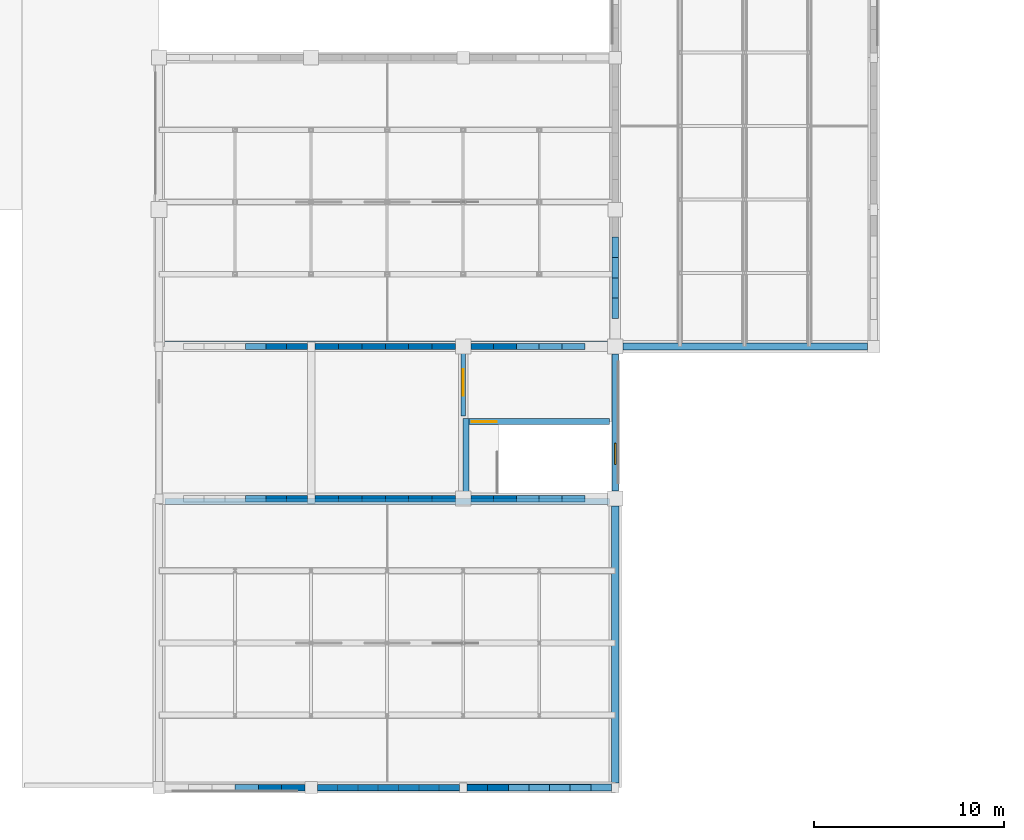
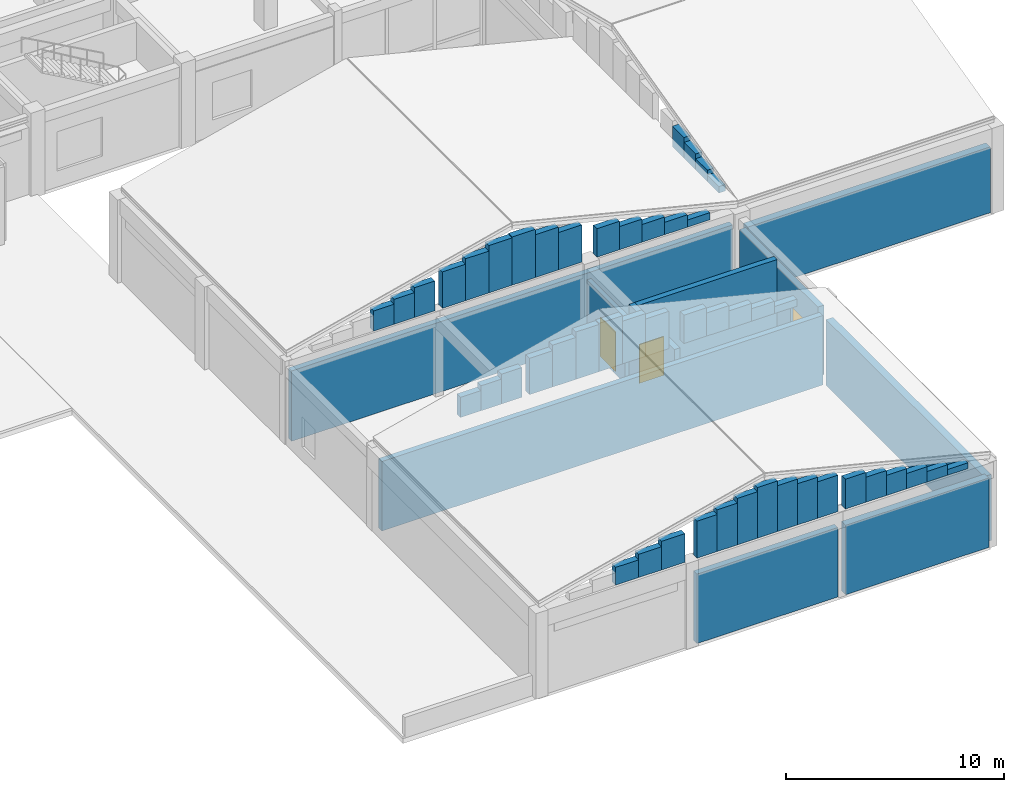
# One storey, part 52 of 61: 58 walls, 2 doors, 1 window, 3 openings.
"""IFC4 building model written with IfcOpenShell, lengths in metres."""

from ifc_helpers import new_model, si_unit, direction, frame, frame_2d, origin, place, context, subcontext, project, spatial, rectangle, extrude, material, layer, layer_set, type_object, element, fill, save


model = new_model("IFC4")

# Units and contexts
model_context = context("Model", 3, precision=1e-05, world=origin(), true_north=direction((0.0, 1.0)))
body_context = subcontext(model_context, "Body", "Model", "MODEL_VIEW")
ifc_project = project(units=[si_unit("LENGTHUNIT", "METRE"), si_unit("AREAUNIT", "SQUARE_METRE"), si_unit("VOLUMEUNIT", "CUBIC_METRE"), si_unit("PLANEANGLEUNIT", "RADIAN"), si_unit("MASSUNIT", "GRAM", prefix="KILO")], contexts=[model_context])

# Site, building, storey
site_placement = place(None, origin())
site = spatial("IfcSite", under=ifc_project, at=site_placement, CompositionType="ELEMENT")
building_placement = place(site_placement, origin())
building = spatial("IfcBuilding", under=site, at=building_placement, Name="Vellmiral Cinema and Media Centre", CompositionType="ELEMENT")
storey_placement = place(building_placement, frame((0.0, 0.0, 10.800048828125)))
storey = spatial("IfcBuildingStorey", under=building, at=storey_placement, Name="L02", CompositionType="ELEMENT", Elevation=10.800048828125)

# Walls
ifc_material_1 = material(Name="Concrete C40/50", Category="concrete")
ifc_layer_1 = layer(ifc_material_1, 0.300048828125, Name="Concrete C40/50")
ifc_layer_set_1 = layer_set([ifc_layer_1], Name="Concrete C40/50")
wall_type_1 = type_object("IfcWallType", Name="WL-CORE-300", PredefinedType="SHEAR", material=ifc_layer_set_1)
wall_1_placement = place(storey_placement, frame((124.300048828125, 27.85009765625, 0.0), z_axis=(0.0, 0.0, 1.0), x_axis=(1.0, 0.0, 0.0)))
element("IfcWall", 1, at=wall_1_placement, inside=storey, type_object=wall_type_1, Name="Cinema Screen 5 Acoustic Enclosure Wall L02-N1", PredefinedType="SHEAR", context=body_context, shape_type="SweptSolid", body=[
    extrude(rectangle(XDim=23.39990234375, YDim=0.300048828125, at=frame_2d((11.699951171875, 0.0))), origin(), (0.0, 0.0, 1.0), 3.89990234375),
])
wall_2_placement = place(storey_placement, frame((124.300048828125, 36.14990234375, 0.0), z_axis=(0.0, 0.0, 1.0), x_axis=(1.0, 0.0, 0.0)))
element("IfcWall", 2, at=wall_2_placement, inside=storey, type_object=wall_type_1, Name="Cinema Screen 6 Acoustic Enclosure Wall L02-S1", PredefinedType="SHEAR", context=body_context, shape_type="SweptSolid", body=[
    extrude(rectangle(XDim=23.39990234375, YDim=0.300048828125, at=frame_2d((11.699951171875, 0.0))), origin(), (0.0, 0.0, 1.0), 3.949951171875),
])
wall_3_placement = place(storey_placement, frame((140.14990234375, 28.0, 0.0), z_axis=(0.0, 0.0, 1.0), x_axis=(0.0, 1.0, 0.0)))
element("IfcWall", 3, at=wall_3_placement, inside=storey, type_object=wall_type_1, Name="Stair Core Wall ST-P8 L02-W", PredefinedType="SHEAR", context=body_context, shape_type="SweptSolid", body=[
    extrude(rectangle(XDim=4.199951171875, YDim=0.300048828125, at=frame_2d((2.10009765625, 0.0))), origin(), (0.0, 0.0, 1.0), 4.5),
])

# Wall, opening, door
wall_4_placement = place(storey_placement, frame((140.300048828125, 32.050048828125, 0.0), z_axis=(0.0, 0.0, 1.0), x_axis=(1.0, 0.0, 0.0)))
wall_4 = element("IfcWall", 4, at=wall_4_placement, inside=storey, type_object=wall_type_1, Name="Stair Core Wall ST-P8 L02-N", PredefinedType="SHEAR", context=body_context, shape_type="SweptSolid", body=[
    extrude(rectangle(XDim=7.39990234375, YDim=0.300048828125, at=frame_2d((3.699951171875, 0.0))), origin(), (0.0, 0.0, 1.0), 4.5),
])
opening_1_placement = place(wall_4_placement, frame((0.159912109375, 0.0, 0.0)))
opening_1 = element("IfcOpeningElement", 5, at=opening_1_placement, cuts=wall_4, Name="Opening D-FD30A", PredefinedType="OPENING", context=body_context, shape_type="SweptSolid", body=[
    extrude(rectangle(XDim=1.300048828125, YDim=2.179931640625, at=frame_2d((0.64990234375, 1.08984375))), frame((0.0, 0.162109375, 0.0), z_axis=(0.0, -1.0, 0.0), x_axis=(1.0, 0.0, 0.0)), (0.0, 0.0, 1.0), 0.323974609375),
])
ifc_material_2 = material(Name="Steel Stair Fire Door", Category="steel")
door_type_1 = type_object("IfcDoorType", Name="DR-FD30-1300x2180", OperationType="NOTDEFINED", PredefinedType="DOOR", material=ifc_material_2)
door_1_placement = place(opening_1_placement, frame((1.300048828125, 0.0, 0.0), z_axis=(0.0, 0.0, 1.0), x_axis=(-1.0, 0.0, 0.0)))
door_1 = element("IfcDoor", 6, at=door_1_placement, inside=storey, type_object=door_type_1, Name="Protected Stair Door ST-P8 L02", OperationType="SINGLE_SWING_RIGHT", OverallHeight=2.179931640625, OverallWidth=1.300048828125, PredefinedType="DOOR", context=body_context, shape_type="SweptSolid", body=[
    extrude(rectangle(XDim=1.300048828125, YDim=2.179931640625, at=frame_2d((0.64990234375, 1.08984375))), frame((0.0, 0.02490234375, 0.0), z_axis=(0.0, -1.0, 0.0), x_axis=(1.0, 0.0, 0.0)), (0.0, 0.0, 1.0), 0.050048828125),
])
fill(opening_1, door_1)

# Wall
ifc_material_3 = material(Name="Polychrome Glazed Ceramic Cladding", Category="masonry")
ifc_layer_2 = layer(ifc_material_3, 0.320068359375, Name="Polychrome Glazed Ceramic Cladding")
ifc_layer_set_2 = layer_set([ifc_layer_2], Name="Polychrome Glazed Ceramic Cladding")
wall_type_2 = type_object("IfcWallType", Name="WL-EXT-BRICK-320", PredefinedType="SOLIDWALL", material=ifc_layer_set_2)
wall_5_placement = place(storey_placement, frame((132.324951171875, 12.800048828125, 0.0), z_axis=(0.0, 0.0, 1.0), x_axis=(1.0, 0.0, 0.0)))
element("IfcWall", 7, at=wall_5_placement, inside=storey, type_object=wall_type_2, Name="Exterior Facade Wall L02-033", PredefinedType="SOLIDWALL", context=body_context, shape_type="SweptSolid", body=[
    extrude(rectangle(XDim=7.47509765625, YDim=0.320068359375, at=frame_2d((3.737548828125, 0.0))), origin(), (0.0, 0.0, 1.0), 3.89990234375),
])

# Wall, opening, window
wall_6_placement = place(storey_placement, frame((148.0, 28.39990234375, 0.0), z_axis=(0.0, 0.0, 1.0), x_axis=(0.0, 1.0, 0.0)))
wall_6 = element("IfcWall", 8, at=wall_6_placement, inside=storey, type_object=wall_type_2, Name="Exterior Facade Wall L02-036", PredefinedType="SOLIDWALL", context=body_context, shape_type="SweptSolid", body=[
    extrude(rectangle(XDim=7.2001953125, YDim=0.320068359375, at=frame_2d((3.60009765625, 0.0))), origin(), (0.0, 0.0, 1.0), 3.89501953125),
])
opening_2_placement = place(wall_6_placement, frame((1.39990234375, 0.0, 0.89990234375)))
opening_2 = element("IfcOpeningElement", 9, at=opening_2_placement, cuts=wall_6, Name="Opening WN-11", PredefinedType="OPENING", context=body_context, shape_type="SweptSolid", body=[
    extrude(rectangle(XDim=1.10009765625, YDim=1.550048828125, at=frame_2d((0.550048828125, 0.77490234375))), frame((0.0, 0.171875, 0.0), z_axis=(0.0, -1.0, 0.0), x_axis=(1.0, 0.0, 0.0)), (0.0, 0.0, 1.0), 0.343994140625),
])
ifc_material_4 = material(Name="Thermally Broken Aluminium Triple Glazing", Category="aluminium")
window_type = type_object("IfcWindowType", Name="WN-1100x1550", PartitioningType="SINGLE_PANEL", PredefinedType="WINDOW", material=ifc_material_4)
window_placement = place(opening_2_placement, origin())
window = element("IfcWindow", 10, at=window_placement, inside=storey, type_object=window_type, Name="Window L02-036", OverallHeight=1.550048828125, OverallWidth=1.10009765625, PartitioningType="SINGLE_PANEL", PredefinedType="WINDOW", context=body_context, shape_type="SweptSolid", body=[
    extrude(rectangle(XDim=1.10009765625, YDim=1.550048828125, at=frame_2d((0.550048828125, 0.77490234375))), frame((0.0, 0.030029296875, 0.0), z_axis=(0.0, -1.0, 0.0), x_axis=(1.0, 0.0, 0.0)), (0.0, 0.0, 1.0), 0.06005859375),
])
fill(opening_2, window)

# Walls
ifc_material_5 = material(Name="Vosges Red Sandstone Masonry", Category="masonry")
ifc_layer_3 = layer(ifc_material_5, 0.340087890625, Name="Vosges Red Sandstone Masonry")
ifc_layer_set_3 = layer_set([ifc_layer_3], Name="Vosges Red Sandstone Masonry")
wall_type_3 = type_object("IfcWallType", Name="WL-EXT-SAND-340", PredefinedType="SOLIDWALL", material=ifc_layer_set_3)
wall_7_placement = place(storey_placement, frame((128.0, 12.800048828125, 4.800048828125), z_axis=(0.0, 0.0, 1.0), x_axis=(1.0, 0.0, 0.0)))
element("IfcWall", 11, at=wall_7_placement, inside=storey, type_object=wall_type_3, Name="Cinema Screen 5 Gable End Wall S-3", PredefinedType="SOLIDWALL", context=body_context, shape_type="SweptSolid", body=[
    extrude(rectangle(XDim=1.22509765625, YDim=0.340087890625, at=frame_2d((0.612548828125, 0.0))), origin(), (0.0, 0.0, 1.0), 0.997314453125),
])
wall_8_placement = place(storey_placement, frame((129.22509765625, 12.800048828125, 4.800048828125), z_axis=(0.0, 0.0, 1.0), x_axis=(1.0, 0.0, 0.0)))
element("IfcWall", 12, at=wall_8_placement, inside=storey, type_object=wall_type_3, Name="Cinema Screen 5 Gable End Wall S-4", PredefinedType="SOLIDWALL", context=body_context, shape_type="SweptSolid", body=[
    extrude(rectangle(XDim=1.224853515625, YDim=0.340087890625, at=frame_2d((0.6123046875, 0.0))), origin(), (0.0, 0.0, 1.0), 1.302490234375),
])
wall_9_placement = place(storey_placement, frame((130.449951171875, 12.800048828125, 4.800048828125), z_axis=(0.0, 0.0, 1.0), x_axis=(1.0, 0.0, 0.0)))
element("IfcWall", 13, at=wall_9_placement, inside=storey, type_object=wall_type_3, Name="Cinema Screen 5 Gable End Wall S-5", PredefinedType="SOLIDWALL", context=body_context, shape_type="SweptSolid", body=[
    extrude(rectangle(XDim=1.22509765625, YDim=0.340087890625, at=frame_2d((0.612548828125, 0.0))), origin(), (0.0, 0.0, 1.0), 1.608154296875),
])
wall_10_placement = place(storey_placement, frame((132.324951171875, 12.800048828125, 4.800048828125), z_axis=(0.0, 0.0, 1.0), x_axis=(1.0, 0.0, 0.0)))
element("IfcWall", 14, at=wall_10_placement, inside=storey, type_object=wall_type_3, Name="Cinema Screen 5 Gable End Wall S-6", PredefinedType="SOLIDWALL", context=body_context, shape_type="SweptSolid", body=[
    extrude(rectangle(XDim=1.06787109375, YDim=0.340087890625, at=frame_2d((0.533935546875, 0.0))), origin(), (0.0, 0.0, 1.0), 2.07568359375),
])
wall_11_placement = place(storey_placement, frame((133.392822265625, 12.800048828125, 4.800048828125), z_axis=(0.0, 0.0, 1.0), x_axis=(1.0, 0.0, 0.0)))
element("IfcWall", 15, at=wall_11_placement, inside=storey, type_object=wall_type_3, Name="Cinema Screen 5 Gable End Wall S-7", PredefinedType="SOLIDWALL", context=body_context, shape_type="SweptSolid", body=[
    extrude(rectangle(XDim=1.06787109375, YDim=0.340087890625, at=frame_2d((0.533935546875, 0.0))), origin(), (0.0, 0.0, 1.0), 2.341796875),
])
wall_12_placement = place(storey_placement, frame((134.460693359375, 12.800048828125, 4.800048828125), z_axis=(0.0, 0.0, 1.0), x_axis=(1.0, 0.0, 0.0)))
element("IfcWall", 16, at=wall_12_placement, inside=storey, type_object=wall_type_3, Name="Cinema Screen 5 Gable End Wall S-8", PredefinedType="SOLIDWALL", context=body_context, shape_type="SweptSolid", body=[
    extrude(rectangle(XDim=1.06787109375, YDim=0.340087890625, at=frame_2d((0.533935546875, 0.0))), origin(), (0.0, 0.0, 1.0), 2.60791015625),
])
wall_13_placement = place(storey_placement, frame((135.528564453125, 12.800048828125, 4.800048828125), z_axis=(0.0, 0.0, 1.0), x_axis=(1.0, 0.0, 0.0)))
element("IfcWall", 17, at=wall_13_placement, inside=storey, type_object=wall_type_3, Name="Cinema Screen 5 Gable End Wall S-9", PredefinedType="SOLIDWALL", context=body_context, shape_type="SweptSolid", body=[
    extrude(rectangle(XDim=1.06787109375, YDim=0.340087890625, at=frame_2d((0.533935546875, 0.0))), origin(), (0.0, 0.0, 1.0), 2.843017578125),
])
wall_14_placement = place(storey_placement, frame((136.596435546875, 12.800048828125, 4.800048828125), z_axis=(0.0, 0.0, 1.0), x_axis=(1.0, 0.0, 0.0)))
element("IfcWall", 18, at=wall_14_placement, inside=storey, type_object=wall_type_3, Name="Cinema Screen 5 Gable End Wall S-10", PredefinedType="SOLIDWALL", context=body_context, shape_type="SweptSolid", body=[
    extrude(rectangle(XDim=1.06787109375, YDim=0.340087890625, at=frame_2d((0.533935546875, 0.0))), origin(), (0.0, 0.0, 1.0), 2.576904296875),
])
wall_15_placement = place(storey_placement, frame((137.664306640625, 12.800048828125, 4.800048828125), z_axis=(0.0, 0.0, 1.0), x_axis=(1.0, 0.0, 0.0)))
element("IfcWall", 19, at=wall_15_placement, inside=storey, type_object=wall_type_3, Name="Cinema Screen 5 Gable End Wall S-11", PredefinedType="SOLIDWALL", context=body_context, shape_type="SweptSolid", body=[
    extrude(rectangle(XDim=1.06787109375, YDim=0.340087890625, at=frame_2d((0.533935546875, 0.0))), origin(), (0.0, 0.0, 1.0), 2.310546875),
])
wall_16_placement = place(storey_placement, frame((138.732177734375, 12.800048828125, 4.800048828125), z_axis=(0.0, 0.0, 1.0), x_axis=(1.0, 0.0, 0.0)))
element("IfcWall", 20, at=wall_16_placement, inside=storey, type_object=wall_type_3, Name="Cinema Screen 5 Gable End Wall S-12", PredefinedType="SOLIDWALL", context=body_context, shape_type="SweptSolid", body=[
    extrude(rectangle(XDim=1.06787109375, YDim=0.340087890625, at=frame_2d((0.533935546875, 0.0))), origin(), (0.0, 0.0, 1.0), 2.04443359375),
])
wall_17_placement = place(storey_placement, frame((140.199951171875, 12.800048828125, 4.800048828125), z_axis=(0.0, 0.0, 1.0), x_axis=(1.0, 0.0, 0.0)))
element("IfcWall", 21, at=wall_17_placement, inside=storey, type_object=wall_type_3, Name="Cinema Screen 5 Gable End Wall S-13", PredefinedType="SOLIDWALL", context=body_context, shape_type="SweptSolid", body=[
    extrude(rectangle(XDim=1.085693359375, YDim=0.340087890625, at=frame_2d((0.54296875, 0.0))), origin(), (0.0, 0.0, 1.0), 1.674072265625),
])
wall_18_placement = place(storey_placement, frame((141.28564453125, 12.800048828125, 4.800048828125), z_axis=(0.0, 0.0, 1.0), x_axis=(1.0, 0.0, 0.0)))
element("IfcWall", 22, at=wall_18_placement, inside=storey, type_object=wall_type_3, Name="Cinema Screen 5 Gable End Wall S-14", PredefinedType="SOLIDWALL", context=body_context, shape_type="SweptSolid", body=[
    extrude(rectangle(XDim=1.085693359375, YDim=0.340087890625, at=frame_2d((0.54296875, 0.0))), origin(), (0.0, 0.0, 1.0), 1.4033203125),
])
wall_19_placement = place(storey_placement, frame((142.371337890625, 12.800048828125, 4.800048828125), z_axis=(0.0, 0.0, 1.0), x_axis=(1.0, 0.0, 0.0)))
element("IfcWall", 23, at=wall_19_placement, inside=storey, type_object=wall_type_3, Name="Cinema Screen 5 Gable End Wall S-15", PredefinedType="SOLIDWALL", context=body_context, shape_type="SweptSolid", body=[
    extrude(rectangle(XDim=1.085693359375, YDim=0.340087890625, at=frame_2d((0.54296875, 0.0))), origin(), (0.0, 0.0, 1.0), 1.132568359375),
])
wall_20_placement = place(storey_placement, frame((143.45703125, 12.800048828125, 4.800048828125), z_axis=(0.0, 0.0, 1.0), x_axis=(1.0, 0.0, 0.0)))
element("IfcWall", 24, at=wall_20_placement, inside=storey, type_object=wall_type_3, Name="Cinema Screen 5 Gable End Wall S-16", PredefinedType="SOLIDWALL", context=body_context, shape_type="SweptSolid", body=[
    extrude(rectangle(XDim=1.0859375, YDim=0.340087890625, at=frame_2d((0.54296875, 0.0))), origin(), (0.0, 0.0, 1.0), 0.86181640625),
])
wall_21_placement = place(storey_placement, frame((144.54296875, 12.800048828125, 4.800048828125), z_axis=(0.0, 0.0, 1.0), x_axis=(1.0, 0.0, 0.0)))
element("IfcWall", 25, at=wall_21_placement, inside=storey, type_object=wall_type_3, Name="Cinema Screen 5 Gable End Wall S-17", PredefinedType="SOLIDWALL", context=body_context, shape_type="SweptSolid", body=[
    extrude(rectangle(XDim=1.085693359375, YDim=0.340087890625, at=frame_2d((0.54296875, 0.0))), origin(), (0.0, 0.0, 1.0), 0.59130859375),
])
wall_22_placement = place(storey_placement, frame((145.628662109375, 12.800048828125, 4.800048828125), z_axis=(0.0, 0.0, 1.0), x_axis=(1.0, 0.0, 0.0)))
element("IfcWall", 26, at=wall_22_placement, inside=storey, type_object=wall_type_3, Name="Cinema Screen 5 Gable End Wall S-18", PredefinedType="SOLIDWALL", context=body_context, shape_type="SweptSolid", body=[
    extrude(rectangle(XDim=1.085693359375, YDim=0.340087890625, at=frame_2d((0.54296875, 0.0))), origin(), (0.0, 0.0, 1.0), 0.320556640625),
])
wall_23_placement = place(storey_placement, frame((128.54296875, 28.0, 4.800048828125), z_axis=(0.0, 0.0, 1.0), x_axis=(1.0, 0.0, 0.0)))
element("IfcWall", 27, at=wall_23_placement, inside=storey, type_object=wall_type_3, Name="Cinema Screen 5 Gable End Wall N-4", PredefinedType="SOLIDWALL", context=body_context, shape_type="SweptSolid", body=[
    extrude(rectangle(XDim=1.085693359375, YDim=0.340087890625, at=frame_2d((0.54296875, 0.0))), origin(), (0.0, 0.0, 1.0), 1.132568359375),
])
wall_24_placement = place(storey_placement, frame((129.628662109375, 28.0, 4.800048828125), z_axis=(0.0, 0.0, 1.0), x_axis=(1.0, 0.0, 0.0)))
element("IfcWall", 28, at=wall_24_placement, inside=storey, type_object=wall_type_3, Name="Cinema Screen 5 Gable End Wall N-5", PredefinedType="SOLIDWALL", context=body_context, shape_type="SweptSolid", body=[
    extrude(rectangle(XDim=1.085693359375, YDim=0.340087890625, at=frame_2d((0.54296875, 0.0))), origin(), (0.0, 0.0, 1.0), 1.4033203125),
])
wall_25_placement = place(storey_placement, frame((130.71435546875, 28.0, 4.800048828125), z_axis=(0.0, 0.0, 1.0), x_axis=(1.0, 0.0, 0.0)))
element("IfcWall", 29, at=wall_25_placement, inside=storey, type_object=wall_type_3, Name="Cinema Screen 5 Gable End Wall N-6", PredefinedType="SOLIDWALL", context=body_context, shape_type="SweptSolid", body=[
    extrude(rectangle(XDim=1.085693359375, YDim=0.340087890625, at=frame_2d((0.54296875, 0.0))), origin(), (0.0, 0.0, 1.0), 1.674072265625),
])
wall_26_placement = place(storey_placement, frame((132.199951171875, 28.0, 4.800048828125), z_axis=(0.0, 0.0, 1.0), x_axis=(1.0, 0.0, 0.0)))
element("IfcWall", 30, at=wall_26_placement, inside=storey, type_object=wall_type_3, Name="Cinema Screen 5 Gable End Wall N-7", PredefinedType="SOLIDWALL", context=body_context, shape_type="SweptSolid", body=[
    extrude(rectangle(XDim=1.2333984375, YDim=0.340087890625, at=frame_2d((0.61669921875, 0.0))), origin(), (0.0, 0.0, 1.0), 2.04443359375),
])
wall_27_placement = place(storey_placement, frame((133.433349609375, 28.0, 4.800048828125), z_axis=(0.0, 0.0, 1.0), x_axis=(1.0, 0.0, 0.0)))
element("IfcWall", 31, at=wall_27_placement, inside=storey, type_object=wall_type_3, Name="Cinema Screen 5 Gable End Wall N-8", PredefinedType="SOLIDWALL", context=body_context, shape_type="SweptSolid", body=[
    extrude(rectangle(XDim=1.2333984375, YDim=0.340087890625, at=frame_2d((0.61669921875, 0.0))), origin(), (0.0, 0.0, 1.0), 2.351806640625),
])
wall_28_placement = place(storey_placement, frame((134.666748046875, 28.0, 4.800048828125), z_axis=(0.0, 0.0, 1.0), x_axis=(1.0, 0.0, 0.0)))
element("IfcWall", 32, at=wall_28_placement, inside=storey, type_object=wall_type_3, Name="Cinema Screen 5 Gable End Wall N-9", PredefinedType="SOLIDWALL", context=body_context, shape_type="SweptSolid", body=[
    extrude(rectangle(XDim=1.233154296875, YDim=0.340087890625, at=frame_2d((0.61669921875, 0.0))), origin(), (0.0, 0.0, 1.0), 2.659423828125),
])
wall_29_placement = place(storey_placement, frame((135.89990234375, 28.0, 4.800048828125), z_axis=(0.0, 0.0, 1.0), x_axis=(1.0, 0.0, 0.0)))
element("IfcWall", 33, at=wall_29_placement, inside=storey, type_object=wall_type_3, Name="Cinema Screen 5 Gable End Wall N-10", PredefinedType="SOLIDWALL", context=body_context, shape_type="SweptSolid", body=[
    extrude(rectangle(XDim=1.2333984375, YDim=0.340087890625, at=frame_2d((0.61669921875, 0.0))), origin(), (0.0, 0.0, 1.0), 2.709228515625),
])
wall_30_placement = place(storey_placement, frame((137.13330078125, 28.0, 4.800048828125), z_axis=(0.0, 0.0, 1.0), x_axis=(1.0, 0.0, 0.0)))
element("IfcWall", 34, at=wall_30_placement, inside=storey, type_object=wall_type_3, Name="Cinema Screen 5 Gable End Wall N-11", PredefinedType="SOLIDWALL", context=body_context, shape_type="SweptSolid", body=[
    extrude(rectangle(XDim=1.2333984375, YDim=0.340087890625, at=frame_2d((0.61669921875, 0.0))), origin(), (0.0, 0.0, 1.0), 2.40185546875),
])
wall_31_placement = place(storey_placement, frame((138.36669921875, 28.0, 4.800048828125), z_axis=(0.0, 0.0, 1.0), x_axis=(1.0, 0.0, 0.0)))
element("IfcWall", 35, at=wall_31_placement, inside=storey, type_object=wall_type_3, Name="Cinema Screen 5 Gable End Wall N-12", PredefinedType="SOLIDWALL", context=body_context, shape_type="SweptSolid", body=[
    extrude(rectangle(XDim=1.2333984375, YDim=0.340087890625, at=frame_2d((0.61669921875, 0.0))), origin(), (0.0, 0.0, 1.0), 2.09423828125),
])
wall_32_placement = place(storey_placement, frame((140.39990234375, 28.0, 4.800048828125), z_axis=(0.0, 0.0, 1.0), x_axis=(1.0, 0.0, 0.0)))
element("IfcWall", 36, at=wall_32_placement, inside=storey, type_object=wall_type_3, Name="Cinema Screen 5 Gable End Wall N-13", PredefinedType="SOLIDWALL", context=body_context, shape_type="SweptSolid", body=[
    extrude(rectangle(XDim=1.2001953125, YDim=0.340087890625, at=frame_2d((0.60009765625, 0.0))), origin(), (0.0, 0.0, 1.0), 1.595703125),
])
wall_33_placement = place(storey_placement, frame((141.60009765625, 28.0, 4.800048828125), z_axis=(0.0, 0.0, 1.0), x_axis=(1.0, 0.0, 0.0)))
element("IfcWall", 37, at=wall_33_placement, inside=storey, type_object=wall_type_3, Name="Cinema Screen 5 Gable End Wall N-14", PredefinedType="SOLIDWALL", context=body_context, shape_type="SweptSolid", body=[
    extrude(rectangle(XDim=1.199951171875, YDim=0.340087890625, at=frame_2d((0.60009765625, 0.0))), origin(), (0.0, 0.0, 1.0), 1.29638671875),
])
wall_34_placement = place(storey_placement, frame((142.800048828125, 28.0, 4.800048828125), z_axis=(0.0, 0.0, 1.0), x_axis=(1.0, 0.0, 0.0)))
element("IfcWall", 38, at=wall_34_placement, inside=storey, type_object=wall_type_3, Name="Cinema Screen 5 Gable End Wall N-15", PredefinedType="SOLIDWALL", context=body_context, shape_type="SweptSolid", body=[
    extrude(rectangle(XDim=1.199951171875, YDim=0.340087890625, at=frame_2d((0.60009765625, 0.0))), origin(), (0.0, 0.0, 1.0), 0.997314453125),
])
wall_35_placement = place(storey_placement, frame((144.0, 28.0, 4.800048828125), z_axis=(0.0, 0.0, 1.0), x_axis=(1.0, 0.0, 0.0)))
element("IfcWall", 39, at=wall_35_placement, inside=storey, type_object=wall_type_3, Name="Cinema Screen 5 Gable End Wall N-16", PredefinedType="SOLIDWALL", context=body_context, shape_type="SweptSolid", body=[
    extrude(rectangle(XDim=1.199951171875, YDim=0.340087890625, at=frame_2d((0.60009765625, 0.0))), origin(), (0.0, 0.0, 1.0), 0.697998046875),
])
wall_36_placement = place(storey_placement, frame((145.199951171875, 28.0, 4.800048828125), z_axis=(0.0, 0.0, 1.0), x_axis=(1.0, 0.0, 0.0)))
element("IfcWall", 40, at=wall_36_placement, inside=storey, type_object=wall_type_3, Name="Cinema Screen 5 Gable End Wall N-17", PredefinedType="SOLIDWALL", context=body_context, shape_type="SweptSolid", body=[
    extrude(rectangle(XDim=1.199951171875, YDim=0.340087890625, at=frame_2d((0.60009765625, 0.0))), origin(), (0.0, 0.0, 1.0), 0.398681640625),
])
wall_37_placement = place(storey_placement, frame((128.54296875, 36.0, 4.800048828125), z_axis=(0.0, 0.0, 1.0), x_axis=(1.0, 0.0, 0.0)))
element("IfcWall", 41, at=wall_37_placement, inside=storey, type_object=wall_type_3, Name="Cinema Screen 6 Gable End Wall S-4", PredefinedType="SOLIDWALL", context=body_context, shape_type="SweptSolid", body=[
    extrude(rectangle(XDim=1.085693359375, YDim=0.340087890625, at=frame_2d((0.54296875, 0.0))), origin(), (0.0, 0.0, 1.0), 1.132568359375),
])
wall_38_placement = place(storey_placement, frame((129.628662109375, 36.0, 4.800048828125), z_axis=(0.0, 0.0, 1.0), x_axis=(1.0, 0.0, 0.0)))
element("IfcWall", 42, at=wall_38_placement, inside=storey, type_object=wall_type_3, Name="Cinema Screen 6 Gable End Wall S-5", PredefinedType="SOLIDWALL", context=body_context, shape_type="SweptSolid", body=[
    extrude(rectangle(XDim=1.085693359375, YDim=0.340087890625, at=frame_2d((0.54296875, 0.0))), origin(), (0.0, 0.0, 1.0), 1.4033203125),
])
wall_39_placement = place(storey_placement, frame((130.71435546875, 36.0, 4.800048828125), z_axis=(0.0, 0.0, 1.0), x_axis=(1.0, 0.0, 0.0)))
element("IfcWall", 43, at=wall_39_placement, inside=storey, type_object=wall_type_3, Name="Cinema Screen 6 Gable End Wall S-6", PredefinedType="SOLIDWALL", context=body_context, shape_type="SweptSolid", body=[
    extrude(rectangle(XDim=1.085693359375, YDim=0.340087890625, at=frame_2d((0.54296875, 0.0))), origin(), (0.0, 0.0, 1.0), 1.674072265625),
])
wall_40_placement = place(storey_placement, frame((132.199951171875, 36.0, 4.800048828125), z_axis=(0.0, 0.0, 1.0), x_axis=(1.0, 0.0, 0.0)))
element("IfcWall", 44, at=wall_40_placement, inside=storey, type_object=wall_type_3, Name="Cinema Screen 6 Gable End Wall S-7", PredefinedType="SOLIDWALL", context=body_context, shape_type="SweptSolid", body=[
    extrude(rectangle(XDim=1.2333984375, YDim=0.340087890625, at=frame_2d((0.61669921875, 0.0))), origin(), (0.0, 0.0, 1.0), 2.04443359375),
])
wall_41_placement = place(storey_placement, frame((133.433349609375, 36.0, 4.800048828125), z_axis=(0.0, 0.0, 1.0), x_axis=(1.0, 0.0, 0.0)))
element("IfcWall", 45, at=wall_41_placement, inside=storey, type_object=wall_type_3, Name="Cinema Screen 6 Gable End Wall S-8", PredefinedType="SOLIDWALL", context=body_context, shape_type="SweptSolid", body=[
    extrude(rectangle(XDim=1.2333984375, YDim=0.340087890625, at=frame_2d((0.61669921875, 0.0))), origin(), (0.0, 0.0, 1.0), 2.351806640625),
])
wall_42_placement = place(storey_placement, frame((134.666748046875, 36.0, 4.800048828125), z_axis=(0.0, 0.0, 1.0), x_axis=(1.0, 0.0, 0.0)))
element("IfcWall", 46, at=wall_42_placement, inside=storey, type_object=wall_type_3, Name="Cinema Screen 6 Gable End Wall S-9", PredefinedType="SOLIDWALL", context=body_context, shape_type="SweptSolid", body=[
    extrude(rectangle(XDim=1.233154296875, YDim=0.340087890625, at=frame_2d((0.61669921875, 0.0))), origin(), (0.0, 0.0, 1.0), 2.659423828125),
])
wall_43_placement = place(storey_placement, frame((135.89990234375, 36.0, 4.800048828125), z_axis=(0.0, 0.0, 1.0), x_axis=(1.0, 0.0, 0.0)))
element("IfcWall", 47, at=wall_43_placement, inside=storey, type_object=wall_type_3, Name="Cinema Screen 6 Gable End Wall S-10", PredefinedType="SOLIDWALL", context=body_context, shape_type="SweptSolid", body=[
    extrude(rectangle(XDim=1.2333984375, YDim=0.340087890625, at=frame_2d((0.61669921875, 0.0))), origin(), (0.0, 0.0, 1.0), 2.709228515625),
])
wall_44_placement = place(storey_placement, frame((137.13330078125, 36.0, 4.800048828125), z_axis=(0.0, 0.0, 1.0), x_axis=(1.0, 0.0, 0.0)))
element("IfcWall", 48, at=wall_44_placement, inside=storey, type_object=wall_type_3, Name="Cinema Screen 6 Gable End Wall S-11", PredefinedType="SOLIDWALL", context=body_context, shape_type="SweptSolid", body=[
    extrude(rectangle(XDim=1.2333984375, YDim=0.340087890625, at=frame_2d((0.61669921875, 0.0))), origin(), (0.0, 0.0, 1.0), 2.40185546875),
])
wall_45_placement = place(storey_placement, frame((138.36669921875, 36.0, 4.800048828125), z_axis=(0.0, 0.0, 1.0), x_axis=(1.0, 0.0, 0.0)))
element("IfcWall", 49, at=wall_45_placement, inside=storey, type_object=wall_type_3, Name="Cinema Screen 6 Gable End Wall S-12", PredefinedType="SOLIDWALL", context=body_context, shape_type="SweptSolid", body=[
    extrude(rectangle(XDim=1.2333984375, YDim=0.340087890625, at=frame_2d((0.61669921875, 0.0))), origin(), (0.0, 0.0, 1.0), 2.09423828125),
])
wall_46_placement = place(storey_placement, frame((140.39990234375, 36.0, 4.800048828125), z_axis=(0.0, 0.0, 1.0), x_axis=(1.0, 0.0, 0.0)))
element("IfcWall", 50, at=wall_46_placement, inside=storey, type_object=wall_type_3, Name="Cinema Screen 6 Gable End Wall S-13", PredefinedType="SOLIDWALL", context=body_context, shape_type="SweptSolid", body=[
    extrude(rectangle(XDim=1.2001953125, YDim=0.340087890625, at=frame_2d((0.60009765625, 0.0))), origin(), (0.0, 0.0, 1.0), 1.595703125),
])
wall_47_placement = place(storey_placement, frame((141.60009765625, 36.0, 4.800048828125), z_axis=(0.0, 0.0, 1.0), x_axis=(1.0, 0.0, 0.0)))
element("IfcWall", 51, at=wall_47_placement, inside=storey, type_object=wall_type_3, Name="Cinema Screen 6 Gable End Wall S-14", PredefinedType="SOLIDWALL", context=body_context, shape_type="SweptSolid", body=[
    extrude(rectangle(XDim=1.199951171875, YDim=0.340087890625, at=frame_2d((0.60009765625, 0.0))), origin(), (0.0, 0.0, 1.0), 1.29638671875),
])
wall_48_placement = place(storey_placement, frame((142.800048828125, 36.0, 4.800048828125), z_axis=(0.0, 0.0, 1.0), x_axis=(1.0, 0.0, 0.0)))
element("IfcWall", 52, at=wall_48_placement, inside=storey, type_object=wall_type_3, Name="Cinema Screen 6 Gable End Wall S-15", PredefinedType="SOLIDWALL", context=body_context, shape_type="SweptSolid", body=[
    extrude(rectangle(XDim=1.199951171875, YDim=0.340087890625, at=frame_2d((0.60009765625, 0.0))), origin(), (0.0, 0.0, 1.0), 0.997314453125),
])
wall_49_placement = place(storey_placement, frame((144.0, 36.0, 4.800048828125), z_axis=(0.0, 0.0, 1.0), x_axis=(1.0, 0.0, 0.0)))
element("IfcWall", 53, at=wall_49_placement, inside=storey, type_object=wall_type_3, Name="Cinema Screen 6 Gable End Wall S-16", PredefinedType="SOLIDWALL", context=body_context, shape_type="SweptSolid", body=[
    extrude(rectangle(XDim=1.199951171875, YDim=0.340087890625, at=frame_2d((0.60009765625, 0.0))), origin(), (0.0, 0.0, 1.0), 0.697998046875),
])
wall_50_placement = place(storey_placement, frame((145.199951171875, 36.0, 4.800048828125), z_axis=(0.0, 0.0, 1.0), x_axis=(1.0, 0.0, 0.0)))
element("IfcWall", 54, at=wall_50_placement, inside=storey, type_object=wall_type_3, Name="Cinema Screen 6 Gable End Wall S-17", PredefinedType="SOLIDWALL", context=body_context, shape_type="SweptSolid", body=[
    extrude(rectangle(XDim=1.199951171875, YDim=0.340087890625, at=frame_2d((0.60009765625, 0.0))), origin(), (0.0, 0.0, 1.0), 0.398681640625),
])
wall_51_placement = place(storey_placement, frame((148.0, 37.470703125, 4.800048828125), z_axis=(0.0, 0.0, 1.0), x_axis=(0.0, 1.0, 0.0)))
element("IfcWall", 55, at=wall_51_placement, inside=storey, type_object=wall_type_3, Name="Cinema Screen 7 Gable End Wall W-1", PredefinedType="SOLIDWALL", context=body_context, shape_type="SweptSolid", body=[
    extrude(rectangle(XDim=1.071044921875, YDim=0.340087890625, at=frame_2d((0.53564453125, 0.0))), origin(), (0.0, 0.0, 1.0), 0.36669921875),
])
wall_52_placement = place(storey_placement, frame((148.0, 38.541748046875, 4.800048828125), z_axis=(0.0, 0.0, 1.0), x_axis=(0.0, 1.0, 0.0)))
element("IfcWall", 56, at=wall_52_placement, inside=storey, type_object=wall_type_3, Name="Cinema Screen 7 Gable End Wall W-2", PredefinedType="SOLIDWALL", context=body_context, shape_type="SweptSolid", body=[
    extrude(rectangle(XDim=1.07080078125, YDim=0.340087890625, at=frame_2d((0.535400390625, 0.0))), origin(), (0.0, 0.0, 1.0), 0.633544921875),
])
wall_53_placement = place(storey_placement, frame((148.0, 39.612548828125, 4.800048828125), z_axis=(0.0, 0.0, 1.0), x_axis=(0.0, 1.0, 0.0)))
element("IfcWall", 57, at=wall_53_placement, inside=storey, type_object=wall_type_3, Name="Cinema Screen 7 Gable End Wall W-3", PredefinedType="SOLIDWALL", context=body_context, shape_type="SweptSolid", body=[
    extrude(rectangle(XDim=1.07080078125, YDim=0.340087890625, at=frame_2d((0.535400390625, 0.0))), origin(), (0.0, 0.0, 1.0), 0.900634765625),
])
wall_54_placement = place(storey_placement, frame((148.0, 40.683349609375, 4.800048828125), z_axis=(0.0, 0.0, 1.0), x_axis=(0.0, 1.0, 0.0)))
element("IfcWall", 58, at=wall_54_placement, inside=storey, type_object=wall_type_3, Name="Cinema Screen 7 Gable End Wall W-4", PredefinedType="SOLIDWALL", context=body_context, shape_type="SweptSolid", body=[
    extrude(rectangle(XDim=1.07080078125, YDim=0.340087890625, at=frame_2d((0.535400390625, 0.0))), origin(), (0.0, 0.0, 1.0), 1.16748046875),
])
ifc_material_6 = material(Name="Vosges Red Sandstone Masonry", Category="masonry")
ifc_layer_4 = layer(ifc_material_6, 0.3798828125, Name="Vosges Red Sandstone Masonry")
ifc_layer_set_4 = layer_set([ifc_layer_4], Name="Vosges Red Sandstone Masonry")
wall_type_4 = type_object("IfcWallType", Name="WL-EXT-SAND-380", PredefinedType="SOLIDWALL", material=ifc_layer_set_4)
wall_55_placement = place(storey_placement, frame((140.199951171875, 12.800048828125, 0.0), z_axis=(0.0, 0.0, 1.0), x_axis=(1.0, 0.0, 0.0)))
element("IfcWall", 59, at=wall_55_placement, inside=storey, type_object=wall_type_4, Name="Exterior Facade Wall L02-034", PredefinedType="SOLIDWALL", context=body_context, shape_type="SweptSolid", body=[
    extrude(rectangle(XDim=7.60009765625, YDim=0.3798828125, at=frame_2d((3.800048828125, 0.0))), origin(), (0.0, 0.0, 1.0), 3.89990234375),
])
wall_56_placement = place(storey_placement, frame((148.0, 13.050048828125, 0.0), z_axis=(0.0, 0.0, 1.0), x_axis=(0.0, 1.0, 0.0)))
element("IfcWall", 60, at=wall_56_placement, inside=storey, type_object=wall_type_4, Name="Exterior Facade Wall L02-035", PredefinedType="SOLIDWALL", context=body_context, shape_type="SweptSolid", body=[
    extrude(rectangle(XDim=14.550048828125, YDim=0.3798828125, at=frame_2d((7.27490234375, 0.0))), origin(), (0.0, 0.0, 1.0), 3.699951171875),
])
wall_57_placement = place(storey_placement, frame((148.39990234375, 36.0, 0.0), z_axis=(0.0, 0.0, 1.0), x_axis=(1.0, 0.0, 0.0)))
element("IfcWall", 61, at=wall_57_placement, inside=storey, type_object=wall_type_4, Name="Exterior Facade Wall L02-037", PredefinedType="SOLIDWALL", context=body_context, shape_type="SweptSolid", body=[
    extrude(rectangle(XDim=12.875, YDim=0.3798828125, at=frame_2d((6.4375, 0.0))), origin(), (0.0, 0.0, 1.0), 3.699951171875),
])

# Wall, opening, door
ifc_material_7 = material(Name="Concrete C40/50", Category="concrete")
ifc_layer_5 = layer(ifc_material_7, 0.22998046875, Name="Concrete C40/50")
ifc_layer_set_5 = layer_set([ifc_layer_5], Name="Concrete C40/50")
wall_type_5 = type_object("IfcWallType", Name="WL-FFL-230", PredefinedType="SOLIDWALL", material=ifc_layer_set_5)
wall_58_placement = place(storey_placement, frame((140.0, 32.340087890625, 0.0), z_axis=(0.0, 0.0, 1.0), x_axis=(0.0, 1.0, 0.0)))
wall_58 = element("IfcWall", 62, at=wall_58_placement, inside=storey, type_object=wall_type_5, Name="Firefighting Stair Lobby ST-P8 Wall W", PredefinedType="SOLIDWALL", context=body_context, shape_type="SweptSolid", body=[
    extrude(rectangle(XDim=3.52001953125, YDim=0.22998046875, at=frame_2d((1.760009765625, 0.0))), origin(), (0.0, 0.0, 1.0), 3.695068359375),
])
opening_3_placement = place(wall_58_placement, frame((1.06005859375, 0.0, 0.0)))
opening_3 = element("IfcOpeningElement", 63, at=opening_3_placement, cuts=wall_58, Name="Opening D-FD60B", PredefinedType="OPENING", context=body_context, shape_type="SweptSolid", body=[
    extrude(rectangle(XDim=1.39990234375, YDim=2.199951171875, at=frame_2d((0.699951171875, 1.10009765625))), frame((0.0, 0.126953125, 0.0), z_axis=(0.0, -1.0, 0.0), x_axis=(1.0, 0.0, 0.0)), (0.0, 0.0, 1.0), 0.25390625),
])
ifc_material_8 = material(Name="Steel Fire Door", Category="steel")
door_type_2 = type_object("IfcDoorType", Name="DR-FD60-1400x2200", OperationType="NOTDEFINED", PredefinedType="DOOR", material=ifc_material_8)
door_2_placement = place(opening_3_placement, frame((1.39990234375, 0.0, 0.0), z_axis=(0.0, 0.0, 1.0), x_axis=(-1.0, 0.0, 0.0)))
door_2 = element("IfcDoor", 64, at=door_2_placement, inside=storey, type_object=door_type_2, Name="Firefighting Stair Lobby ST-P8 Door", OperationType="SINGLE_SWING_LEFT", OverallHeight=2.199951171875, OverallWidth=1.39990234375, PredefinedType="DOOR", context=body_context, shape_type="SweptSolid", body=[
    extrude(rectangle(XDim=1.39990234375, YDim=2.199951171875, at=frame_2d((0.699951171875, 1.10009765625))), frame((0.0, 0.02490234375, 0.0), z_axis=(0.0, -1.0, 0.0), x_axis=(1.0, 0.0, 0.0)), (0.0, 0.0, 1.0), 0.050048828125),
])
fill(opening_3, door_2)

save(model, "model.ifc")
